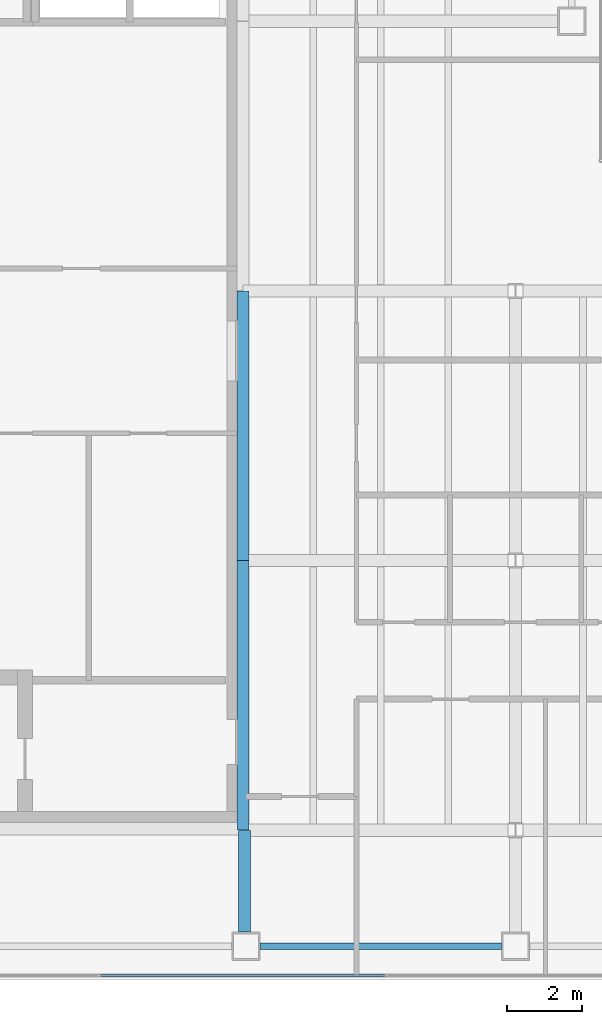
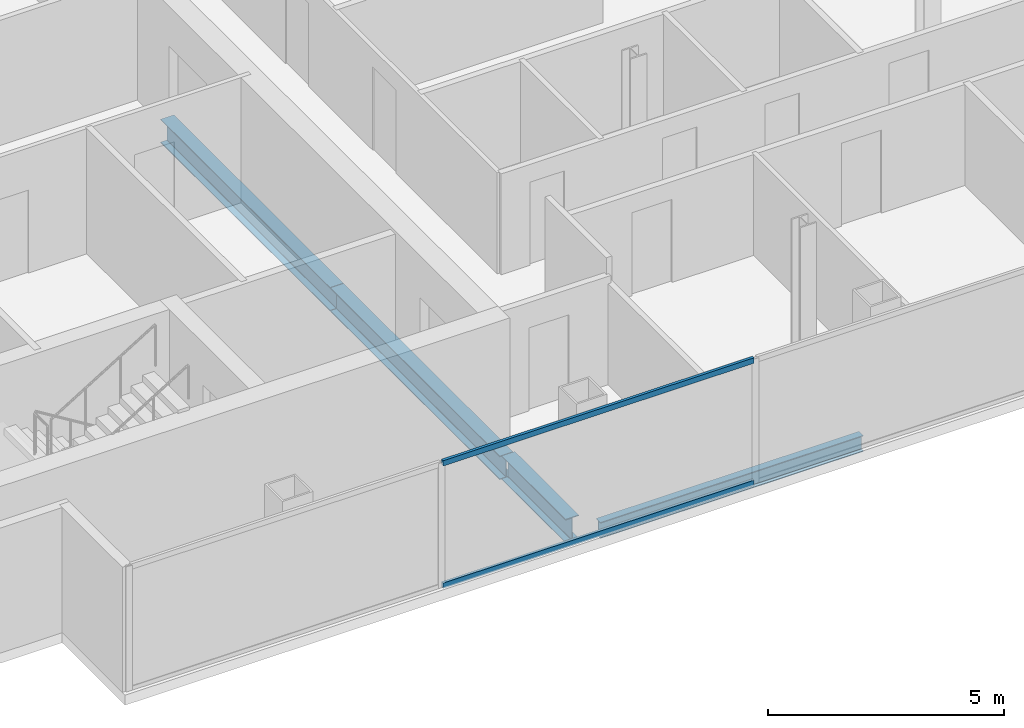
# One storey, part 3 of 23: 4 beams, 2 members, 1 element without a shape of its own.
"""IFC4 building model written with IfcOpenShell, lengths in metres."""

from ifc_helpers import new_model, si_unit, direction, frame, origin, origin_2d, place, context, subcontext, project, spatial, hollow_rectangle, i_section, extrude, material, material_profile, profile_set, type_object, element, aggregate, save


model = new_model("IFC4")

# Units and contexts
model_context = context("Model", 3, precision=1e-05, world=origin(), true_north=direction((0.0, 1.0)))
body_context = subcontext(model_context, "Body", "Model", "MODEL_VIEW")
ifc_project = project(units=[si_unit("LENGTHUNIT", "METRE"), si_unit("AREAUNIT", "SQUARE_METRE"), si_unit("VOLUMEUNIT", "CUBIC_METRE"), si_unit("PLANEANGLEUNIT", "RADIAN"), si_unit("MASSUNIT", "GRAM", prefix="KILO")], contexts=[model_context])

# Site, building, storey
site_placement = place(None, origin())
site = spatial("IfcSite", under=ifc_project, at=site_placement, CompositionType="ELEMENT")
building_placement = place(site_placement, origin())
building = spatial("IfcBuilding", under=site, at=building_placement, Name="Cobrela Telecom Tower", CompositionType="ELEMENT")
storey_placement = place(building_placement, frame((0.0, 0.0, 218.75)))
storey = spatial("IfcBuildingStorey", under=building, at=storey_placement, Name="L56", CompositionType="ELEMENT", Elevation=218.75)

# Beams
ifc_material_1 = material(Name="Steel ASTM A992 Grade 50", Category="steel")
ifc_material_profile_1 = material_profile(ifc_material_1, i_section(OverallWidth=0.324951171875, OverallDepth=0.612060546875, WebThickness=0.0126953125, FlangeThickness=0.01904296875, FilletRadius=0.014892578125, at=origin_2d()), Name="W24X104")
ifc_profile_set_1 = profile_set([ifc_material_profile_1], Name="Steel ASTM A992 Grade 50")
beam_type_1 = type_object("IfcBeamType", Name="BM-GIRD-07", PredefinedType="USERDEFINED", material=ifc_profile_set_1)
beam_1_placement = place(storey_placement, frame((14.360107421875, 4.47998046875, -0.56591796875), z_axis=(0.0, 1.0, 0.0), x_axis=(-1.0, 0.0, 0.0)))
element("IfcBeam", 1, at=beam_1_placement, inside=storey, type_object=beam_type_1, Name="L56 Primary Girder Y26", ObjectType="GIRDER", PredefinedType="USERDEFINED", context=body_context, shape_type="SweptSolid", body=[
    extrude(i_section(OverallWidth=0.324951171875, OverallDepth=0.612060546875, WebThickness=0.0126953125, FlangeThickness=0.01904296875, FilletRadius=0.014892578125, at=origin_2d()), origin(), (0.0, 0.0, 1.0), 2.715087890625),
])
for number, where, z_axis, x_axis, name in (
    (2, (14.320068359375, 7.205078125, -0.56591796875), (0.0, 1.0, 0.0), (-1.0, 0.0, 0.0), "L56 Primary Girder Y27"),
    (3, (14.320068359375, 14.405029296875, -0.56591796875), (0.0, 1.0, 0.0), (-1.0, 0.0, 0.0), "L56 Primary Girder Y28"),
):
    element("IfcBeam", number, at=place(storey_placement, frame(where, z_axis=z_axis, x_axis=x_axis)), inside=storey, type_object=beam_type_1, Name=name, ObjectType="GIRDER", PredefinedType="USERDEFINED", context=body_context, shape_type="SweptSolid", body=[
        extrude(i_section(OverallWidth=0.324951171875, OverallDepth=0.612060546875, WebThickness=0.0126953125, FlangeThickness=0.01904296875, FilletRadius=0.014892578125, at=origin_2d()), origin(), (0.0, 0.0, 1.0), 7.18994140625),
    ])
ifc_material_profile_2 = material_profile(ifc_material_1, i_section(OverallWidth=0.179931640625, OverallDepth=0.4169921875, WebThickness=0.010986328125, FlangeThickness=0.01806640625, FilletRadius=0.011962890625, at=origin_2d()), Name="W16X57")
ifc_profile_set_2 = profile_set([ifc_material_profile_2], Name="Steel ASTM A992 Grade 50")
beam_type_2 = type_object("IfcBeamType", Name="BM-SPAND-06", PredefinedType="SPANDREL", material=ifc_profile_set_2)
beam_2_placement = place(storey_placement, frame((14.780029296875, 4.10009765625, -0.468505859375), z_axis=(1.0, 0.0, 0.0), x_axis=(0.0, 1.0, 0.0)))
element("IfcBeam", 4, at=beam_2_placement, inside=storey, type_object=beam_type_2, Name="L56 Perimeter Spandrel X02", PredefinedType="SPANDREL", context=body_context, shape_type="SweptSolid", body=[
    extrude(i_section(OverallWidth=0.179931640625, OverallDepth=0.4169921875, WebThickness=0.010986328125, FlangeThickness=0.01806640625, FilletRadius=0.011962890625, at=origin_2d()), origin(), (0.0, 0.0, 1.0), 6.43994140625),
])

# Curtain wall, members
ifc_material_2 = material(Name="Anodized Bronze Aluminium 6063-T6", Category="aluminium")
curtain_wall_type = type_object("IfcCurtainWallType", Name="CW-SYS-OFF-LO", PredefinedType="USERDEFINED", material=ifc_material_2)
curtain_wall_placement = place(storey_placement, origin())
curtain_wall = element("IfcCurtainWall", 5, at=curtain_wall_placement, inside=storey, type_object=curtain_wall_type, Name="L56 Unitised Bronze Curtain Wall 17", ObjectType="UNITISED CURTAIN WALL", PredefinedType="USERDEFINED")
ifc_material_profile_3 = material_profile(ifc_material_2, hollow_rectangle(XDim=0.070068359375, YDim=0.139892578125, WallThickness=0.00390625, at=origin_2d()), Name="ALU 70x140x4")
ifc_profile_set_3 = profile_set([ifc_material_profile_3], Name="Anodized Bronze Aluminium 6063-T6")
member_type = type_object("IfcMemberType", Name="CW-SYS-OFF-LO-TRN", PredefinedType="USERDEFINED", material=ifc_profile_set_3)
member_1_placement = place(storey_placement, frame((18.123046875, 3.320068359375, 0.034912109375), z_axis=(-1.0, 0.0, 0.0), x_axis=(0.0, -1.0, 0.0)))
member_1 = element("IfcMember", 6, at=member_1_placement, type_object=member_type, Name="CW-OFF-LO transom 4.1", ObjectType="TRANSOM", PredefinedType="USERDEFINED", context=body_context, shape_type="SweptSolid", body=[
    extrude(hollow_rectangle(XDim=0.070068359375, YDim=0.139892578125, WallThickness=0.00390625, at=origin_2d()), origin(), (0.0, 0.0, 1.0), 7.614013671875),
])
member_2_placement = place(storey_placement, frame((18.123046875, 3.320068359375, 3.205078125), z_axis=(-1.0, 0.0, 0.0), x_axis=(0.0, -1.0, 0.0)))
member_2 = element("IfcMember", 7, at=member_2_placement, type_object=member_type, Name="CW-OFF-LO transom 4.2", ObjectType="TRANSOM", PredefinedType="USERDEFINED", context=body_context, shape_type="SweptSolid", body=[
    extrude(hollow_rectangle(XDim=0.070068359375, YDim=0.139892578125, WallThickness=0.00390625, at=origin_2d()), origin(), (0.0, 0.0, 1.0), 7.614013671875),
])
aggregate(curtain_wall, [member_1, member_2])

save(model, "model.ifc")
